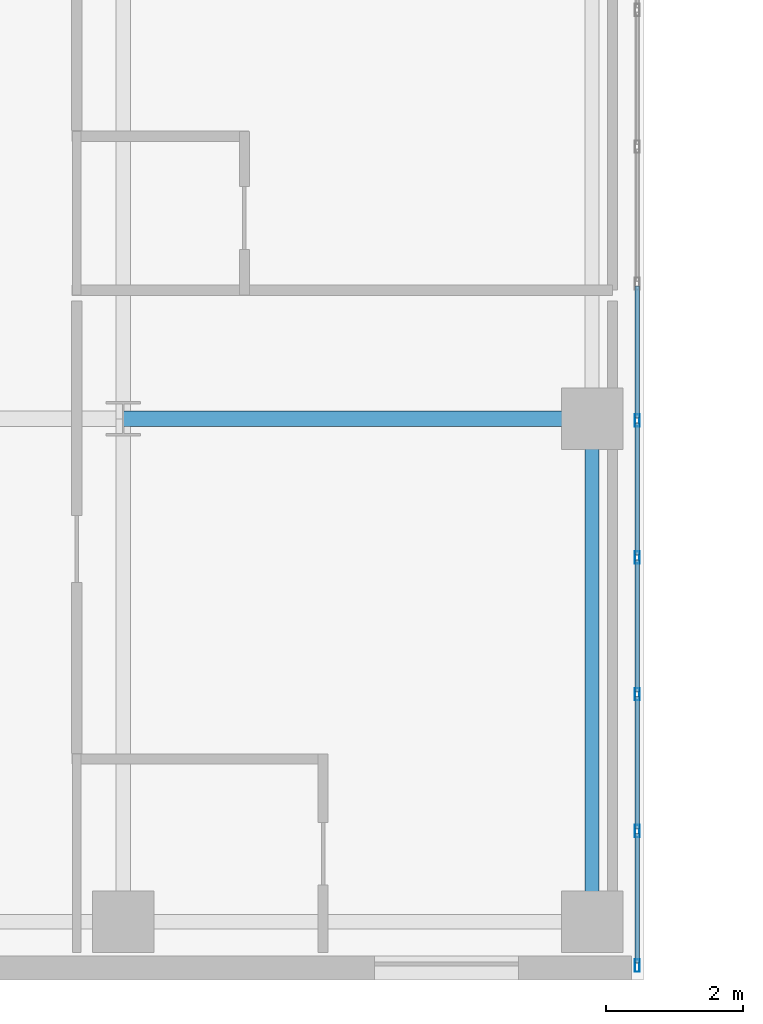
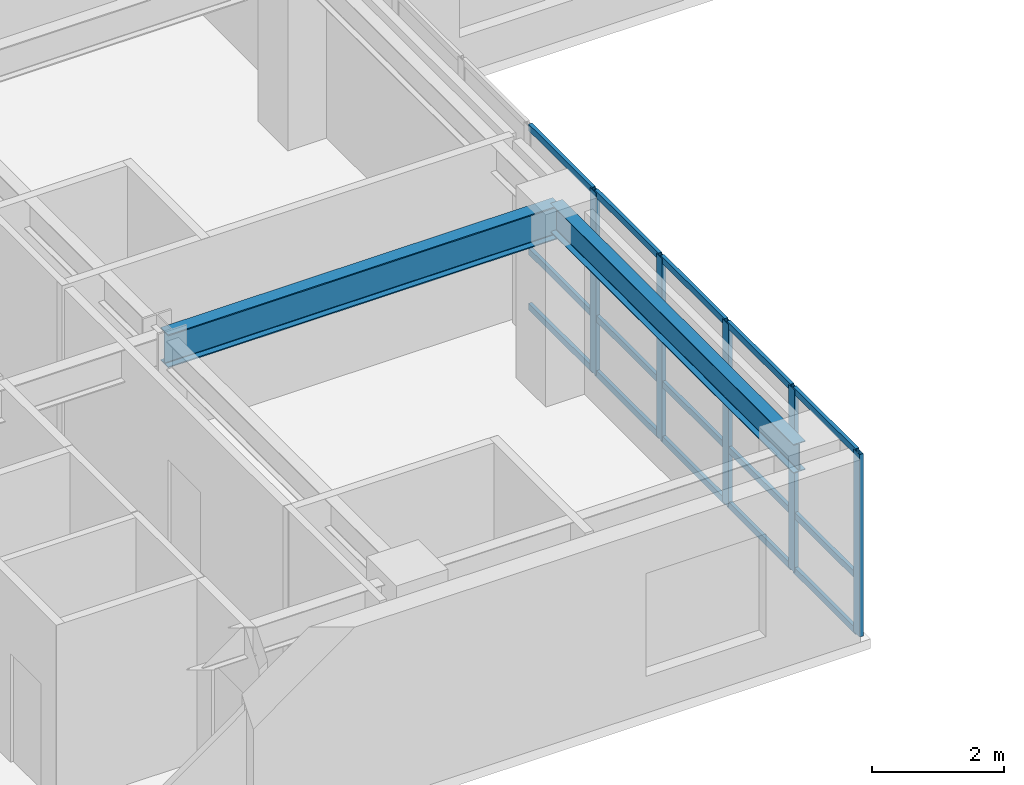
# One storey, part 2 of 16: 20 members, 2 beams, 1 element without a shape of its own.
"""IFC4 building model written with IfcOpenShell, lengths in metres."""

from ifc_helpers import new_model, si_unit, direction, frame, origin, origin_2d, place, context, subcontext, project, spatial, hollow_rectangle, i_section, extrude, source, transform, mapped, material, layer, layer_set, material_profile, profile_set, type_object, type_shapes, element, aggregate, save


model = new_model("IFC4")

# Units and contexts
model_context = context("Model", 3, precision=1e-05, world=origin(), true_north=direction((0.0, 1.0)))
body_context = subcontext(model_context, "Body", "Model", "MODEL_VIEW")
ifc_project = project(units=[si_unit("LENGTHUNIT", "METRE"), si_unit("AREAUNIT", "SQUARE_METRE"), si_unit("VOLUMEUNIT", "CUBIC_METRE"), si_unit("PLANEANGLEUNIT", "RADIAN"), si_unit("MASSUNIT", "GRAM", prefix="KILO")], contexts=[model_context])

# Site, building, storey
site_placement = place(None, origin())
site = spatial("IfcSite", under=ifc_project, at=site_placement, CompositionType="ELEMENT")
building_placement = place(site_placement, origin())
building = spatial("IfcBuilding", under=site, at=building_placement, Name="Tolvann Quenvar Hotel", CompositionType="ELEMENT")
storey_placement = place(building_placement, frame((0.0, 0.0, 85.25)))
storey = spatial("IfcBuildingStorey", under=building, at=storey_placement, Name="L21", CompositionType="ELEMENT", Elevation=85.25)

# Beams
ifc_material_1 = material(Name="Steel Grade 350", Category="steel")
ifc_material_profile_1 = material_profile(ifc_material_1, i_section(OverallWidth=0.22900390625, OverallDepth=0.612060546875, WebThickness=0.011962890625, FlangeThickness=0.01953125, FilletRadius=0.013916015625, at=origin_2d()), Name="610UB125")
ifc_profile_set_1 = profile_set([ifc_material_profile_1], Name="Steel Grade 350")
beam_type_1 = type_object("IfcBeamType", Name="BM_GIRD_610UB125", PredefinedType="BEAM", material=ifc_profile_set_1)
shared_shape_1 = source(origin(), body_context, "Body", "SweptSolid", [
    extrude(i_section(OverallWidth=0.22900390625, OverallDepth=0.612060546875, WebThickness=0.011962890625, FlangeThickness=0.01953125, FilletRadius=0.013916015625, at=origin_2d()), origin(), (0.0, 0.0, 1.0), 6.85009765625),
])
type_shapes(beam_type_1, [shared_shape_1])
beam_1_placement = place(storey_placement, frame((15.199951171875, 8.199951171875, 3.06396484375), z_axis=(1.0, 0.0, 0.0), x_axis=(0.0, 1.0, 0.0)))
element("IfcBeam", 1, at=beam_1_placement, inside=storey, type_object=beam_type_1, Name="BM-L21-EW-3-D3-E3", PredefinedType="BEAM", context=body_context, shape_type="MappedRepresentation", body=[
    mapped(shared_shape_1, transform((0.0, 0.0, 0.0), x_axis=(1.0, 0.0, 0.0), y_axis=(0.0, 1.0, 0.0), z_axis=(0.0, 0.0, 1.0), scale=1.0)),
])
ifc_material_profile_2 = material_profile(ifc_material_1, i_section(OverallWidth=0.208984375, OverallDepth=0.532958984375, WebThickness=0.01025390625, FlangeThickness=0.015625, FilletRadius=0.013916015625, at=origin_2d()), Name="530UB92")
ifc_profile_set_2 = profile_set([ifc_material_profile_2], Name="Steel Grade 350")
beam_type_2 = type_object("IfcBeamType", Name="BM_GIRD_530UB92", PredefinedType="BEAM", material=ifc_profile_set_2)
shared_shape_2 = source(origin(), body_context, "Body", "SweptSolid", [
    extrude(i_section(OverallWidth=0.208984375, OverallDepth=0.532958984375, WebThickness=0.01025390625, FlangeThickness=0.015625, FilletRadius=0.013916015625, at=origin_2d()), origin(), (0.0, 0.0, 1.0), 7.349853515625),
])
type_shapes(beam_type_2, [shared_shape_2])
beam_2_placement = place(storey_placement, frame((22.050048828125, 0.85009765625, 3.103515625), z_axis=(0.0, 1.0, 0.0), x_axis=(-1.0, 0.0, 0.0)))
element("IfcBeam", 2, at=beam_2_placement, inside=storey, type_object=beam_type_2, Name="BM-L21-NS-E2-E3", PredefinedType="BEAM", context=body_context, shape_type="MappedRepresentation", body=[
    mapped(shared_shape_2, transform((0.0, 0.0, 0.0), x_axis=(1.0, 0.0, 0.0), y_axis=(0.0, 1.0, 0.0), z_axis=(0.0, 0.0, 1.0), scale=1.0)),
])

# Curtain wall, members
ifc_material_2 = material(Name="Thermally broken anodised architectural aluminium 6063-T6 and laminated low-E glass", Category="aluminium")
ifc_layer = layer(ifc_material_2, 0.179931640625)
ifc_layer_set = layer_set([ifc_layer], Name="Thermally broken anodised architectural aluminium 6063-T6 and laminated low-E glass")
curtain_wall_type = type_object("IfcCurtainWallType", Name="CW_SYS_SLOT_03", PredefinedType="USERDEFINED", material=ifc_layer_set)
curtain_wall_placement = place(storey_placement, origin())
curtain_wall = element("IfcCurtainWall", 3, at=curtain_wall_placement, inside=storey, type_object=curtain_wall_type, Name="Curtain Wall CW-SLOT-03 (CWR-L21-E05)", ObjectType="UNITISED CURTAIN WALL", PredefinedType="USERDEFINED")
ifc_material_3 = material(Name="Anodised architectural aluminium 6063-T6 framing", Category="aluminium")
ifc_material_profile_3 = material_profile(ifc_material_3, hollow_rectangle(XDim=0.070068359375, YDim=0.179931640625, WallThickness=0.00390625, at=origin_2d()), Name="180x70x4RHS")
ifc_profile_set_3 = profile_set([ifc_material_profile_3], Name="Anodised architectural aluminium 6063-T6 framing")
member_type_1 = type_object("IfcMemberType", Name="CW_MULL_180x70", PredefinedType="MULLION", material=ifc_profile_set_3)
shared_shape_3 = source(origin(), body_context, "Body", "SweptSolid", [
    extrude(hollow_rectangle(XDim=0.070068359375, YDim=0.179931640625, WallThickness=0.00390625, at=origin_2d()), origin(), (0.0, 0.0, 1.0), 3.3701171875),
])
type_shapes(member_type_1, [shared_shape_3])
member_1_placement = place(storey_placement, frame((22.7099609375, 0.2099609375, 0.0), z_axis=(0.0, 0.0, 1.0), x_axis=(-1.0, 0.0, 0.0)))
member_1 = element("IfcMember", 4, at=member_1_placement, type_object=member_type_1, Name="CW-SLOT-03 mullion 1", PredefinedType="MULLION", context=body_context, shape_type="MappedRepresentation", body=[
    mapped(shared_shape_3, transform((0.0, 0.0, 0.0), x_axis=(1.0, 0.0, 0.0), y_axis=(0.0, 1.0, 0.0), z_axis=(0.0, 0.0, 1.0), scale=1.0)),
])
member_2_placement = place(storey_placement, frame((22.7099609375, 2.175048828125, 0.0), z_axis=(0.0, 0.0, 1.0), x_axis=(-1.0, 0.0, 0.0)))
member_2 = element("IfcMember", 5, at=member_2_placement, type_object=member_type_1, Name="CW-SLOT-03 mullion 2", PredefinedType="MULLION", context=body_context, shape_type="MappedRepresentation", body=[
    mapped(shared_shape_3, transform((0.0, 0.0, 0.0), x_axis=(1.0, 0.0, 0.0), y_axis=(0.0, 1.0, 0.0), z_axis=(0.0, 0.0, 1.0), scale=1.0)),
])
member_3_placement = place(storey_placement, frame((22.7099609375, 4.175048828125, 0.0), z_axis=(0.0, 0.0, 1.0), x_axis=(-1.0, 0.0, 0.0)))
member_3 = element("IfcMember", 6, at=member_3_placement, type_object=member_type_1, Name="CW-SLOT-03 mullion 3", PredefinedType="MULLION", context=body_context, shape_type="MappedRepresentation", body=[
    mapped(shared_shape_3, transform((0.0, 0.0, 0.0), x_axis=(1.0, 0.0, 0.0), y_axis=(0.0, 1.0, 0.0), z_axis=(0.0, 0.0, 1.0), scale=1.0)),
])
member_4_placement = place(storey_placement, frame((22.7099609375, 6.175048828125, 0.0), z_axis=(0.0, 0.0, 1.0), x_axis=(-1.0, 0.0, 0.0)))
member_4 = element("IfcMember", 7, at=member_4_placement, type_object=member_type_1, Name="CW-SLOT-03 mullion 4", PredefinedType="MULLION", context=body_context, shape_type="MappedRepresentation", body=[
    mapped(shared_shape_3, transform((0.0, 0.0, 0.0), x_axis=(1.0, 0.0, 0.0), y_axis=(0.0, 1.0, 0.0), z_axis=(0.0, 0.0, 1.0), scale=1.0)),
])
member_5_placement = place(storey_placement, frame((22.7099609375, 8.175048828125, 0.0), z_axis=(0.0, 0.0, 1.0), x_axis=(-1.0, 0.0, 0.0)))
member_5 = element("IfcMember", 8, at=member_5_placement, type_object=member_type_1, Name="CW-SLOT-03 mullion 5", PredefinedType="MULLION", context=body_context, shape_type="MappedRepresentation", body=[
    mapped(shared_shape_3, transform((0.0, 0.0, 0.0), x_axis=(1.0, 0.0, 0.0), y_axis=(0.0, 1.0, 0.0), z_axis=(0.0, 0.0, 1.0), scale=1.0)),
])
ifc_material_profile_4 = material_profile(ifc_material_3, hollow_rectangle(XDim=0.06005859375, YDim=0.1201171875, WallThickness=0.00341796875, at=origin_2d()), Name="120x60x3.5RHS")
ifc_profile_set_4 = profile_set([ifc_material_profile_4], Name="Anodised architectural aluminium 6063-T6 framing")
member_type_2 = type_object("IfcMemberType", Name="CW_TRAN_120x60", PredefinedType="USERDEFINED", material=ifc_profile_set_4)
shared_shape_4 = source(origin(), body_context, "Body", "SweptSolid", [
    extrude(hollow_rectangle(XDim=0.06005859375, YDim=0.1201171875, WallThickness=0.00341796875, at=origin_2d()), origin(), (0.0, 0.0, 1.0), 1.894775390625),
])
member_6_placement = place(storey_placement, frame((22.7099609375, 0.2451171875, 0.030029296875), z_axis=(0.0, 1.0, 0.0), x_axis=(-1.0, 0.0, 0.0)))
member_6 = element("IfcMember", 9, at=member_6_placement, type_object=member_type_2, Name="CW-SLOT-03 transom 1.1", ObjectType="TRANSOM", PredefinedType="USERDEFINED", context=body_context, shape_type="MappedRepresentation", body=[
    mapped(shared_shape_4, transform((0.0, 0.0, 0.0), x_axis=(1.0, 0.0, 0.0), y_axis=(0.0, 1.0, 0.0), z_axis=(0.0, 0.0, 1.0), scale=1.0)),
])
member_7_placement = place(storey_placement, frame((22.7099609375, 0.2451171875, 1.050048828125), z_axis=(0.0, 1.0, 0.0), x_axis=(-1.0, 0.0, 0.0)))
member_7 = element("IfcMember", 10, at=member_7_placement, type_object=member_type_2, Name="CW-SLOT-03 transom 1.2", ObjectType="TRANSOM", PredefinedType="USERDEFINED", context=body_context, shape_type="MappedRepresentation", body=[
    mapped(shared_shape_4, transform((0.0, 0.0, 0.0), x_axis=(1.0, 0.0, 0.0), y_axis=(0.0, 1.0, 0.0), z_axis=(0.0, 0.0, 1.0), scale=1.0)),
])
member_8_placement = place(storey_placement, frame((22.7099609375, 0.2451171875, 3.340087890625), z_axis=(0.0, 1.0, 0.0), x_axis=(-1.0, 0.0, 0.0)))
member_8 = element("IfcMember", 11, at=member_8_placement, type_object=member_type_2, Name="CW-SLOT-03 transom 1.3", ObjectType="TRANSOM", PredefinedType="USERDEFINED", context=body_context, shape_type="MappedRepresentation", body=[
    mapped(shared_shape_4, transform((0.0, 0.0, 0.0), x_axis=(1.0, 0.0, 0.0), y_axis=(0.0, 1.0, 0.0), z_axis=(0.0, 0.0, 1.0), scale=1.0)),
])
shared_shape_5 = source(origin(), body_context, "Body", "SweptSolid", [
    extrude(hollow_rectangle(XDim=0.06005859375, YDim=0.1201171875, WallThickness=0.00341796875, at=origin_2d()), origin(), (0.0, 0.0, 1.0), 1.929931640625),
])
type_shapes(member_type_2, [shared_shape_4, shared_shape_5])
member_9_placement = place(storey_placement, frame((22.7099609375, 2.2099609375, 0.030029296875), z_axis=(0.0, 1.0, 0.0), x_axis=(-1.0, 0.0, 0.0)))
member_9 = element("IfcMember", 12, at=member_9_placement, type_object=member_type_2, Name="CW-SLOT-03 transom 2.1", ObjectType="TRANSOM", PredefinedType="USERDEFINED", context=body_context, shape_type="MappedRepresentation", body=[
    mapped(shared_shape_5, transform((0.0, 0.0, 0.0), x_axis=(1.0, 0.0, 0.0), y_axis=(0.0, 1.0, 0.0), z_axis=(0.0, 0.0, 1.0), scale=1.0)),
])
member_10_placement = place(storey_placement, frame((22.7099609375, 2.2099609375, 1.050048828125), z_axis=(0.0, 1.0, 0.0), x_axis=(-1.0, 0.0, 0.0)))
member_10 = element("IfcMember", 13, at=member_10_placement, type_object=member_type_2, Name="CW-SLOT-03 transom 2.2", ObjectType="TRANSOM", PredefinedType="USERDEFINED", context=body_context, shape_type="MappedRepresentation", body=[
    mapped(shared_shape_5, transform((0.0, 0.0, 0.0), x_axis=(1.0, 0.0, 0.0), y_axis=(0.0, 1.0, 0.0), z_axis=(0.0, 0.0, 1.0), scale=1.0)),
])
member_11_placement = place(storey_placement, frame((22.7099609375, 2.2099609375, 3.340087890625), z_axis=(0.0, 1.0, 0.0), x_axis=(-1.0, 0.0, 0.0)))
member_11 = element("IfcMember", 14, at=member_11_placement, type_object=member_type_2, Name="CW-SLOT-03 transom 2.3", ObjectType="TRANSOM", PredefinedType="USERDEFINED", context=body_context, shape_type="MappedRepresentation", body=[
    mapped(shared_shape_5, transform((0.0, 0.0, 0.0), x_axis=(1.0, 0.0, 0.0), y_axis=(0.0, 1.0, 0.0), z_axis=(0.0, 0.0, 1.0), scale=1.0)),
])
member_12_placement = place(storey_placement, frame((22.7099609375, 4.2099609375, 0.030029296875), z_axis=(0.0, 1.0, 0.0), x_axis=(-1.0, 0.0, 0.0)))
member_12 = element("IfcMember", 15, at=member_12_placement, type_object=member_type_2, Name="CW-SLOT-03 transom 3.1", ObjectType="TRANSOM", PredefinedType="USERDEFINED", context=body_context, shape_type="MappedRepresentation", body=[
    mapped(shared_shape_5, transform((0.0, 0.0, 0.0), x_axis=(1.0, 0.0, 0.0), y_axis=(0.0, 1.0, 0.0), z_axis=(0.0, 0.0, 1.0), scale=1.0)),
])
member_13_placement = place(storey_placement, frame((22.7099609375, 4.2099609375, 1.050048828125), z_axis=(0.0, 1.0, 0.0), x_axis=(-1.0, 0.0, 0.0)))
member_13 = element("IfcMember", 16, at=member_13_placement, type_object=member_type_2, Name="CW-SLOT-03 transom 3.2", ObjectType="TRANSOM", PredefinedType="USERDEFINED", context=body_context, shape_type="MappedRepresentation", body=[
    mapped(shared_shape_5, transform((0.0, 0.0, 0.0), x_axis=(1.0, 0.0, 0.0), y_axis=(0.0, 1.0, 0.0), z_axis=(0.0, 0.0, 1.0), scale=1.0)),
])
member_14_placement = place(storey_placement, frame((22.7099609375, 4.2099609375, 3.340087890625), z_axis=(0.0, 1.0, 0.0), x_axis=(-1.0, 0.0, 0.0)))
member_14 = element("IfcMember", 17, at=member_14_placement, type_object=member_type_2, Name="CW-SLOT-03 transom 3.3", ObjectType="TRANSOM", PredefinedType="USERDEFINED", context=body_context, shape_type="MappedRepresentation", body=[
    mapped(shared_shape_5, transform((0.0, 0.0, 0.0), x_axis=(1.0, 0.0, 0.0), y_axis=(0.0, 1.0, 0.0), z_axis=(0.0, 0.0, 1.0), scale=1.0)),
])
member_15_placement = place(storey_placement, frame((22.7099609375, 6.2099609375, 0.030029296875), z_axis=(0.0, 1.0, 0.0), x_axis=(-1.0, 0.0, 0.0)))
member_15 = element("IfcMember", 18, at=member_15_placement, type_object=member_type_2, Name="CW-SLOT-03 transom 4.1", ObjectType="TRANSOM", PredefinedType="USERDEFINED", context=body_context, shape_type="MappedRepresentation", body=[
    mapped(shared_shape_5, transform((0.0, 0.0, 0.0), x_axis=(1.0, 0.0, 0.0), y_axis=(0.0, 1.0, 0.0), z_axis=(0.0, 0.0, 1.0), scale=1.0)),
])
member_16_placement = place(storey_placement, frame((22.7099609375, 6.2099609375, 1.050048828125), z_axis=(0.0, 1.0, 0.0), x_axis=(-1.0, 0.0, 0.0)))
member_16 = element("IfcMember", 19, at=member_16_placement, type_object=member_type_2, Name="CW-SLOT-03 transom 4.2", ObjectType="TRANSOM", PredefinedType="USERDEFINED", context=body_context, shape_type="MappedRepresentation", body=[
    mapped(shared_shape_5, transform((0.0, 0.0, 0.0), x_axis=(1.0, 0.0, 0.0), y_axis=(0.0, 1.0, 0.0), z_axis=(0.0, 0.0, 1.0), scale=1.0)),
])
member_17_placement = place(storey_placement, frame((22.7099609375, 6.2099609375, 3.340087890625), z_axis=(0.0, 1.0, 0.0), x_axis=(-1.0, 0.0, 0.0)))
member_17 = element("IfcMember", 20, at=member_17_placement, type_object=member_type_2, Name="CW-SLOT-03 transom 4.3", ObjectType="TRANSOM", PredefinedType="USERDEFINED", context=body_context, shape_type="MappedRepresentation", body=[
    mapped(shared_shape_5, transform((0.0, 0.0, 0.0), x_axis=(1.0, 0.0, 0.0), y_axis=(0.0, 1.0, 0.0), z_axis=(0.0, 0.0, 1.0), scale=1.0)),
])
member_18_placement = place(storey_placement, frame((22.7099609375, 8.2099609375, 0.030029296875), z_axis=(0.0, 1.0, 0.0), x_axis=(-1.0, 0.0, 0.0)))
member_18 = element("IfcMember", 21, at=member_18_placement, type_object=member_type_2, Name="CW-SLOT-03 transom 5.1", ObjectType="TRANSOM", PredefinedType="USERDEFINED", context=body_context, shape_type="MappedRepresentation", body=[
    mapped(shared_shape_5, transform((0.0, 0.0, 0.0), x_axis=(1.0, 0.0, 0.0), y_axis=(0.0, 1.0, 0.0), z_axis=(0.0, 0.0, 1.0), scale=1.0)),
])
member_19_placement = place(storey_placement, frame((22.7099609375, 8.2099609375, 1.050048828125), z_axis=(0.0, 1.0, 0.0), x_axis=(-1.0, 0.0, 0.0)))
member_19 = element("IfcMember", 22, at=member_19_placement, type_object=member_type_2, Name="CW-SLOT-03 transom 5.2", ObjectType="TRANSOM", PredefinedType="USERDEFINED", context=body_context, shape_type="MappedRepresentation", body=[
    mapped(shared_shape_5, transform((0.0, 0.0, 0.0), x_axis=(1.0, 0.0, 0.0), y_axis=(0.0, 1.0, 0.0), z_axis=(0.0, 0.0, 1.0), scale=1.0)),
])
member_20_placement = place(storey_placement, frame((22.7099609375, 8.2099609375, 3.340087890625), z_axis=(0.0, 1.0, 0.0), x_axis=(-1.0, 0.0, 0.0)))
member_20 = element("IfcMember", 23, at=member_20_placement, type_object=member_type_2, Name="CW-SLOT-03 transom 5.3", ObjectType="TRANSOM", PredefinedType="USERDEFINED", context=body_context, shape_type="MappedRepresentation", body=[
    mapped(shared_shape_5, transform((0.0, 0.0, 0.0), x_axis=(1.0, 0.0, 0.0), y_axis=(0.0, 1.0, 0.0), z_axis=(0.0, 0.0, 1.0), scale=1.0)),
])
aggregate(curtain_wall, [member_1, member_2, member_3, member_4, member_5, member_6, member_7, member_8, member_9, member_10, member_11, member_12, member_13, member_14, member_15, member_16, member_17, member_18, member_19, member_20])

save(model, "model.ifc")
